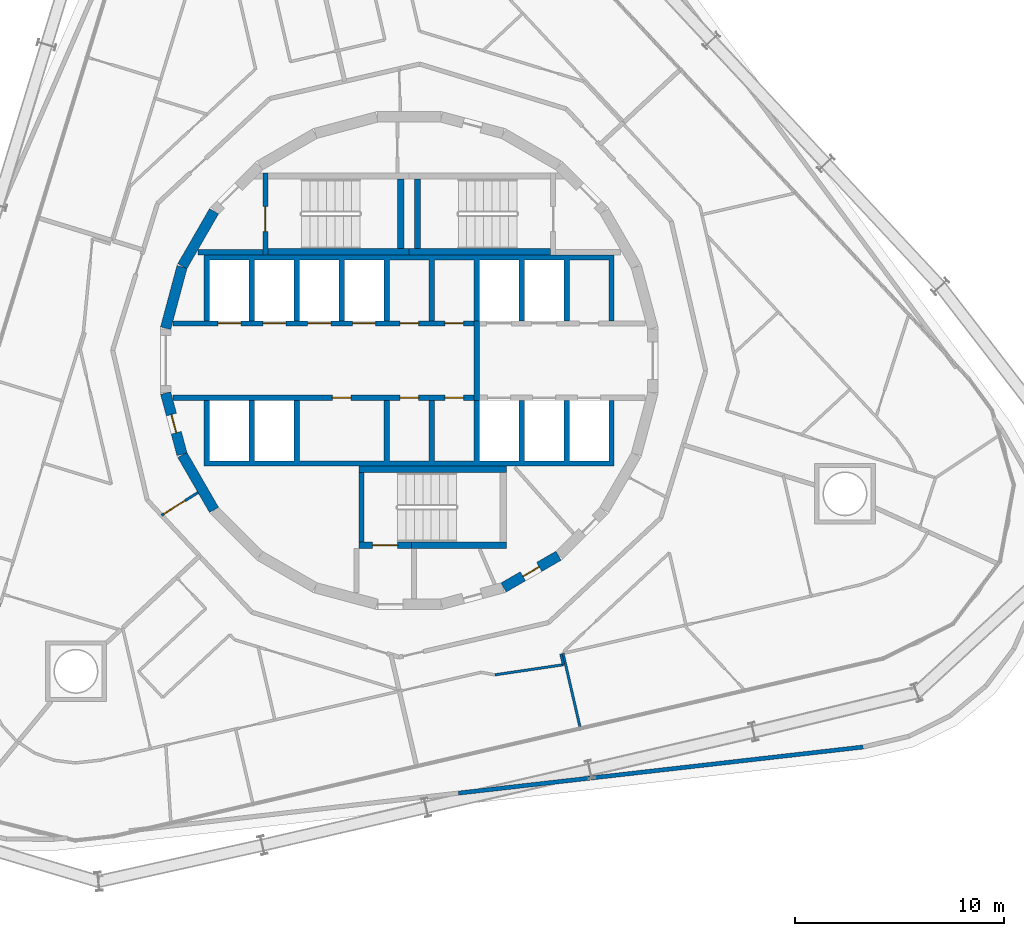
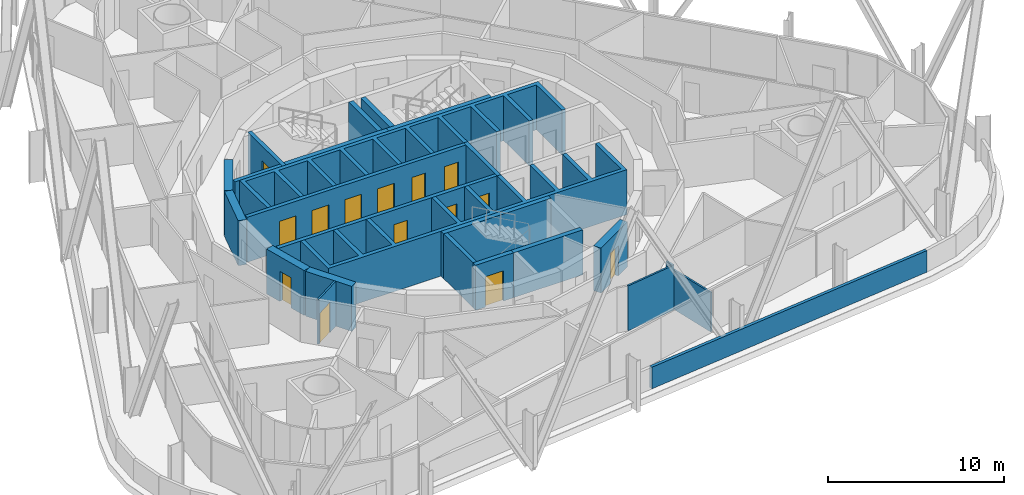
# One storey, part 13 of 18: 25 walls, 14 doors, 14 openings.
"""IFC4 building model written with IfcOpenShell, lengths in metres."""

from ifc_helpers import new_model, si_unit, direction, frame, frame_2d, origin, place, context, subcontext, project, spatial, polyline, rectangle, outline, extrude, material, layer, layer_set, type_object, element, fill, save


model = new_model("IFC4")

# Units and contexts
model_context = context("Model", 3, precision=1e-05, world=origin(), true_north=direction((0.0, 1.0)))
body_context = subcontext(model_context, "Body", "Model", "MODEL_VIEW")
ifc_project = project(units=[si_unit("LENGTHUNIT", "METRE"), si_unit("AREAUNIT", "SQUARE_METRE"), si_unit("VOLUMEUNIT", "CUBIC_METRE"), si_unit("PLANEANGLEUNIT", "RADIAN"), si_unit("MASSUNIT", "GRAM", prefix="KILO")], contexts=[model_context])

# Site, building, storey
site_placement = place(None, origin())
site = spatial("IfcSite", under=ifc_project, at=site_placement, CompositionType="ELEMENT")
building_placement = place(site_placement, origin())
building = spatial("IfcBuilding", under=site, at=building_placement, Name="Spindle Arch Residences", CompositionType="ELEMENT")
storey_placement = place(building_placement, frame((0.0, 0.0, 113.39990234375)))
storey = spatial("IfcBuildingStorey", under=building, at=storey_placement, Name="L27", CompositionType="ELEMENT", Elevation=113.39990234375)

# Wall, opening, door
ifc_material_1 = material(Name="Concrete C50/60", Category="concrete")
ifc_layer_1 = layer(ifc_material_1, 0.5)
ifc_layer_set_1 = layer_set([ifc_layer_1], Name="Core outline wall 500")
wall_type_1 = type_object("IfcWallType", Name="Core outline wall 500", PredefinedType="SHEAR", material=ifc_layer_set_1)
wall_1_placement = place(storey_placement, frame((4.510498046875, -10.84521484375, 0.0), z_axis=(0.0, 0.0, 1.0), x_axis=(0.865975092491, 0.500087131594, 0.0)))
wall_1 = element("IfcWall", 1, at=wall_1_placement, inside=storey, type_object=wall_type_1, Name="Core outline wall 2", PredefinedType="SHEAR", context=body_context, shape_type="SweptSolid", body=[
    extrude(rectangle(XDim=3.03271484375, YDim=0.5, at=frame_2d((1.516357421875, 0.0))), origin(), (0.0, 0.0, 1.0), 3.1201171875),
])
opening_1_placement = place(wall_1_placement, frame((1.06640625, 0.0, 0.0)))
opening_1 = element("IfcOpeningElement", 2, at=opening_1_placement, cuts=wall_1, Name="Opening R3A0-WD10", PredefinedType="OPENING", context=body_context, shape_type="SweptSolid", body=[
    extrude(rectangle(XDim=0.89990234375, YDim=2.10009765625, at=frame_2d((0.449951171875, 1.050048828125))), frame((0.0, 0.260009765625, 0.0), z_axis=(0.0, -1.0, 0.0), x_axis=(1.0, 0.0, 0.0)), (0.0, 0.0, 1.0), 0.52001953125),
])
ifc_material_2 = material(Name="Steel, fire-resisting door", Category="steel")
door_type_1 = type_object("IfcDoorType", Name="Service room door 900x2100", OperationType="SINGLE_SWING_LEFT", PredefinedType="DOOR", material=ifc_material_2)
door_1_placement = place(opening_1_placement, origin())
door_1 = element("IfcDoor", 3, at=door_1_placement, inside=storey, type_object=door_type_1, Name="Service room door R3A0-WD10", OperationType="SINGLE_SWING_LEFT", OverallHeight=2.10009765625, OverallWidth=0.89990234375, PredefinedType="DOOR", context=body_context, shape_type="SweptSolid", body=[
    extrude(rectangle(XDim=0.89990234375, YDim=2.10009765625, at=frame_2d((0.449951171875, 1.050048828125))), frame((0.0, 0.02490234375, 0.0), z_axis=(0.0, -1.0, 0.0), x_axis=(1.0, 0.0, 0.0)), (0.0, 0.0, 1.0), 0.050048828125),
])
fill(opening_1, door_1)

# Walls
for number, where, z_axis, x_axis, name in (
    (4, (-9.32861328125, 7.13671875, 0.0), (0.0, 0.0, 1.0), (-0.500087131594, -0.865975092491, 0.0), "Core outline wall 16"),
    (5, (-10.858154296875, 4.479248046875, 0.0), (0.0, 0.0, 1.0), (-0.258734743916, -0.965948410781, 0.0), "Core outline wall 17"),
):
    element("IfcWall", number, at=place(storey_placement, frame(where, z_axis=z_axis, x_axis=x_axis)), inside=storey, type_object=wall_type_1, Name=name, PredefinedType="SHEAR", context=body_context, shape_type="SweptSolid", body=[
        extrude(rectangle(XDim=3.03271484375, YDim=0.5, at=frame_2d((1.516357421875, 0.0))), origin(), (0.0, 0.0, 1.0), 3.1201171875),
    ])

# Wall, opening, door
wall_2_placement = place(storey_placement, frame((-11.642822265625, -1.5498046875, 0.0), z_axis=(0.0, 0.0, 1.0), x_axis=(0.258734743916, -0.965948410781, 0.0)))
wall_2 = element("IfcWall", 6, at=wall_2_placement, inside=storey, type_object=wall_type_1, Name="Core outline wall 19", PredefinedType="SHEAR", context=body_context, shape_type="SweptSolid", body=[
    extrude(rectangle(XDim=3.03271484375, YDim=0.5, at=frame_2d((1.516357421875, 0.0))), origin(), (0.0, 0.0, 1.0), 3.1201171875),
])
opening_2_placement = place(wall_2_placement, frame((1.06640625, 0.0, 0.0)))
opening_2 = element("IfcOpeningElement", 7, at=opening_2_placement, cuts=wall_2, Name="Opening R3A0-WD11", PredefinedType="OPENING", context=body_context, shape_type="SweptSolid", body=[
    extrude(rectangle(XDim=0.89990234375, YDim=2.10009765625, at=frame_2d((0.449951171875, 1.050048828125))), frame((0.0, 0.260009765625, 0.0), z_axis=(0.0, -1.0, 0.0), x_axis=(1.0, 0.0, 0.0)), (0.0, 0.0, 1.0), 0.52001953125),
])
door_2_placement = place(opening_2_placement, origin())
door_2 = element("IfcDoor", 8, at=door_2_placement, inside=storey, type_object=door_type_1, Name="Service room door R3A0-WD11", OperationType="SINGLE_SWING_RIGHT", OverallHeight=2.10009765625, OverallWidth=0.89990234375, PredefinedType="DOOR", context=body_context, shape_type="SweptSolid", body=[
    extrude(rectangle(XDim=0.89990234375, YDim=2.10009765625, at=frame_2d((0.449951171875, 1.050048828125))), frame((0.0, 0.02490234375, 0.0), z_axis=(0.0, -1.0, 0.0), x_axis=(1.0, 0.0, 0.0)), (0.0, 0.0, 1.0), 0.050048828125),
])
fill(opening_2, door_2)

# Wall
wall_3_placement = place(storey_placement, frame((-10.84521484375, -4.510498046875, 0.0), z_axis=(0.0, 0.0, 1.0), x_axis=(0.500087131594, -0.865975092491, 0.0)))
element("IfcWall", 9, at=wall_3_placement, inside=storey, type_object=wall_type_1, Name="Core outline wall 20", PredefinedType="SHEAR", context=body_context, shape_type="SweptSolid", body=[
    extrude(rectangle(XDim=3.03271484375, YDim=0.5, at=frame_2d((1.516357421875, 0.0))), origin(), (0.0, 0.0, 1.0), 3.1201171875),
])

# Wall, opening, door
ifc_material_3 = material(Name="Plasterboard on steel studs", Category="steel")
ifc_layer_2 = layer(ifc_material_3, 0.1201171875)
ifc_layer_set_2 = layer_set([ifc_layer_2], Name="Corridor division wall 120")
wall_type_2 = type_object("IfcWallType", Name="Corridor division wall 120", PredefinedType="PARTITIONING", material=ifc_layer_set_2)
wall_4_placement = place(storey_placement, frame((-11.835693359375, -7.395751953125, 0.0), z_axis=(0.0, 0.0, 1.0), x_axis=(0.848071831599, 0.529881277692, 0.0)))
wall_4 = element("IfcWall", 10, at=wall_4_placement, inside=storey, type_object=wall_type_2, Name="Corridor division wall R3A0-W003", PredefinedType="PARTITIONING", context=body_context, shape_type="SweptSolid", body=[
    extrude(rectangle(XDim=2.0517578125, YDim=0.1201171875, at=frame_2d((1.02587890625, 0.0))), origin(), (0.0, 0.0, 1.0), 3.1201171875),
])
opening_3_placement = place(wall_4_placement, frame((0.125, 0.0, 0.0)))
opening_3 = element("IfcOpeningElement", 11, at=opening_3_placement, cuts=wall_4, Name="Opening R3A0-CD03", PredefinedType="OPENING", context=body_context, shape_type="SweptSolid", body=[
    extrude(rectangle(XDim=1.199951171875, YDim=2.10009765625, at=frame_2d((0.60009765625, 1.050048828125))), frame((0.0, 0.070068359375, 0.0), z_axis=(0.0, -1.0, 0.0), x_axis=(1.0, 0.0, 0.0)), (0.0, 0.0, 1.0), 0.14013671875),
])
ifc_material_4 = material(Name="Steel, fire-resisting door", Category="steel")
door_type_2 = type_object("IfcDoorType", Name="Corridor division door 1200x2100", OperationType="NOTDEFINED", PredefinedType="DOOR", material=ifc_material_4)
door_3_placement = place(opening_3_placement, origin())
door_3 = element("IfcDoor", 12, at=door_3_placement, inside=storey, type_object=door_type_2, Name="Corridor division door R3A0-CD03", OperationType="DOUBLE_DOOR_SINGLE_SWING", OverallHeight=2.10009765625, OverallWidth=1.199951171875, PredefinedType="DOOR", context=body_context, shape_type="SweptSolid", body=[
    extrude(rectangle(XDim=1.199951171875, YDim=2.10009765625, at=frame_2d((0.60009765625, 1.050048828125))), frame((0.0, 0.02490234375, 0.0), z_axis=(0.0, -1.0, 0.0), x_axis=(1.0, 0.0, 0.0)), (0.0, 0.0, 1.0), 0.050048828125),
])
fill(opening_3, door_3)

# Walls
ifc_material_5 = material(Name="Concrete C40/50", Category="concrete")
ifc_layer_3 = layer(ifc_material_5, 0.25)
ifc_layer_set_3 = layer_set([ifc_layer_3], Name="Fire-lift lobby wall 250")
wall_type_3 = type_object("IfcWallType", Name="Fire-lift lobby wall 250", PredefinedType="SHEAR", material=ifc_layer_set_3)
wall_5_placement = place(storey_placement, frame((3.22509765625, -1.89990234375, 0.0), z_axis=(0.0, 0.0, 1.0), x_axis=(0.0, 1.0, 0.0)))
element("IfcWall", 13, at=wall_5_placement, inside=storey, type_object=wall_type_3, Name="Fire-fighting lobby partition", PredefinedType="SHEAR", context=body_context, shape_type="SweptSolid", body=[
    extrude(rectangle(XDim=3.7998046875, YDim=0.25, at=frame_2d((1.89990234375, 0.0))), origin(), (0.0, 0.0, 1.0), 3.1201171875),
])
ifc_material_6 = material(Name="Plasterboard on steel studs", Category="steel")
ifc_layer_4 = layer(ifc_material_6, 0.1201171875)
ifc_layer_set_4 = layer_set([ifc_layer_4], Name="Flat partition 120")
wall_type_4 = type_object("IfcWallType", Name="Flat partition 120", PredefinedType="PARTITIONING", material=ifc_layer_set_4)
wall_6_placement = place(storey_placement, frame((4.093505859375, -15.0205078125, 0.0), z_axis=(0.0, 0.0, 1.0), x_axis=(0.989259616433, 0.146169118814, 0.0)))
element("IfcWall", 14, at=wall_6_placement, inside=storey, type_object=wall_type_4, Name="Flat partition R3A0-W104", PredefinedType="PARTITIONING", context=body_context, shape_type="SweptSolid", body=[
    extrude(rectangle(XDim=3.310546875, YDim=0.1201171875, at=frame_2d((1.6552734375, 0.0))), origin(), (0.0, 0.0, 1.0), 3.1201171875),
])
wall_7_placement = place(storey_placement, frame((7.368408203125, -14.53662109375, 0.0), z_axis=(0.0, 0.0, 1.0), x_axis=(-0.224960301109, 0.974367929955, 0.0)))
element("IfcWall", 15, at=wall_7_placement, inside=storey, type_object=wall_type_4, Name="Flat partition R3A0-W105", PredefinedType="PARTITIONING", context=body_context, shape_type="SweptSolid", body=[
    extrude(rectangle(XDim=0.53076171875, YDim=0.1201171875, at=frame_2d((0.265380859375, 0.0))), origin(), (0.0, 0.0, 1.0), 3.1201171875),
])
ifc_material_7 = material(Name="Plasterboard on steel studs", Category="steel")
ifc_layer_5 = layer(ifc_material_7, 0.1201171875)
ifc_layer_set_5 = layer_set([ifc_layer_5], Name="Flat partition 120 under beam 2730")
wall_type_5 = type_object("IfcWallType", Name="Flat partition 120 under beam 2730", PredefinedType="PARTITIONING", material=ifc_layer_set_5)
wall_8_placement = place(storey_placement, frame((8.1611328125, -17.503662109375, 0.0), z_axis=(0.0, 0.0, 1.0), x_axis=(-0.224943703639, 0.9743717618, 0.0)))
element("IfcWall", 16, at=wall_8_placement, inside=storey, type_object=wall_type_5, Name="Flat partition R3A0-W110", PredefinedType="PARTITIONING", context=body_context, shape_type="SweptSolid", body=[
    extrude(rectangle(XDim=3.60009765625, YDim=0.1201171875, at=frame_2d((1.800048828125, 0.0))), origin(), (0.0, 0.0, 1.0), 2.72998046875),
])

# Wall, openings, doors
ifc_material_8 = material(Name="Concrete C50/60", Category="concrete")
ifc_layer_6 = layer(ifc_material_8, 0.25)
ifc_layer_set_6 = layer_set([ifc_layer_6], Name="Lift shaft wall 250")
wall_type_6 = type_object("IfcWallType", Name="Lift shaft wall 250", PredefinedType="SHEAR", material=ifc_layer_set_6)
wall_9_placement = place(storey_placement, frame((-11.280029296875, 1.77490234375, 0.0), z_axis=(0.0, 0.0, 1.0), x_axis=(1.0, 0.0, 0.0)))
wall_9 = element("IfcWall", 17, at=wall_9_placement, inside=storey, type_object=wall_type_6, Name="Lift shaft front wall NW", PredefinedType="SHEAR", context=body_context, shape_type="SweptSolid", body=[
    extrude(rectangle(XDim=14.380126953125, YDim=0.25, at=frame_2d((7.18994140625, 0.0))), origin(), (0.0, 0.0, 1.0), 3.1201171875),
])
opening_4_placement = place(wall_9_placement, frame((2.1298828125, 0.0, 0.0)))
opening_4 = element("IfcOpeningElement", 18, at=opening_4_placement, cuts=wall_9, Name="Opening R3A0-LD01", PredefinedType="OPENING", context=body_context, shape_type="SweptSolid", body=[
    extrude(rectangle(XDim=1.10009765625, YDim=2.10009765625, at=frame_2d((0.550048828125, 1.050048828125))), frame((0.0, 0.135009765625, 0.0), z_axis=(0.0, -1.0, 0.0), x_axis=(1.0, 0.0, 0.0)), (0.0, 0.0, 1.0), 0.27001953125),
])
opening_5_placement = place(wall_9_placement, frame((4.280029296875, 0.0, 0.0)))
opening_5 = element("IfcOpeningElement", 19, at=opening_5_placement, cuts=wall_9, Name="Opening R3A0-LD02", PredefinedType="OPENING", context=body_context, shape_type="SweptSolid", body=[
    extrude(rectangle(XDim=1.10009765625, YDim=2.10009765625, at=frame_2d((0.550048828125, 1.050048828125))), frame((0.0, 0.135009765625, 0.0), z_axis=(0.0, -1.0, 0.0), x_axis=(1.0, 0.0, 0.0)), (0.0, 0.0, 1.0), 0.27001953125),
])
opening_6_placement = place(wall_9_placement, frame((6.429931640625, 0.0, 0.0)))
opening_6 = element("IfcOpeningElement", 20, at=opening_6_placement, cuts=wall_9, Name="Opening R3A0-LD03", PredefinedType="OPENING", context=body_context, shape_type="SweptSolid", body=[
    extrude(rectangle(XDim=1.10009765625, YDim=2.10009765625, at=frame_2d((0.550048828125, 1.050048828125))), frame((0.0, 0.135009765625, 0.0), z_axis=(0.0, -1.0, 0.0), x_axis=(1.0, 0.0, 0.0)), (0.0, 0.0, 1.0), 0.27001953125),
])
opening_7_placement = place(wall_9_placement, frame((8.580078125, 0.0, 0.0)))
opening_7 = element("IfcOpeningElement", 21, at=opening_7_placement, cuts=wall_9, Name="Opening R3A0-LD04", PredefinedType="OPENING", context=body_context, shape_type="SweptSolid", body=[
    extrude(rectangle(XDim=1.10009765625, YDim=2.10009765625, at=frame_2d((0.550048828125, 1.050048828125))), frame((0.0, 0.135009765625, 0.0), z_axis=(0.0, -1.0, 0.0), x_axis=(1.0, 0.0, 0.0)), (0.0, 0.0, 1.0), 0.27001953125),
])
opening_8_placement = place(wall_9_placement, frame((10.830078125, 0.0, 0.0)))
opening_8 = element("IfcOpeningElement", 22, at=opening_8_placement, cuts=wall_9, Name="Opening R3A0-WD01", PredefinedType="OPENING", context=body_context, shape_type="SweptSolid", body=[
    extrude(rectangle(XDim=0.89990234375, YDim=2.10009765625, at=frame_2d((0.449951171875, 1.050048828125))), frame((0.0, 0.135009765625, 0.0), z_axis=(0.0, -1.0, 0.0), x_axis=(1.0, 0.0, 0.0)), (0.0, 0.0, 1.0), 0.27001953125),
])
opening_9_placement = place(wall_9_placement, frame((12.97998046875, 0.0, 0.0)))
opening_9 = element("IfcOpeningElement", 23, at=opening_9_placement, cuts=wall_9, Name="Opening R3A0-WD02", PredefinedType="OPENING", context=body_context, shape_type="SweptSolid", body=[
    extrude(rectangle(XDim=0.89990234375, YDim=2.10009765625, at=frame_2d((0.449951171875, 1.050048828125))), frame((0.0, 0.135009765625, 0.0), z_axis=(0.0, -1.0, 0.0), x_axis=(1.0, 0.0, 0.0)), (0.0, 0.0, 1.0), 0.27001953125),
])
ifc_material_9 = material(Name="Steel, fire-resisting landing door", Category="steel")
door_type_3 = type_object("IfcDoorType", Name="Lift landing door 1100x2100", OperationType="DOUBLE_DOOR_SLIDING", PredefinedType="DOOR", material=ifc_material_9)
door_4_placement = place(opening_4_placement, origin())
door_4 = element("IfcDoor", 24, at=door_4_placement, inside=storey, type_object=door_type_3, Name="Lift landing door R3A0-LD01", OperationType="DOUBLE_DOOR_SLIDING", OverallHeight=2.10009765625, OverallWidth=1.10009765625, PredefinedType="DOOR", context=body_context, shape_type="SweptSolid", body=[
    extrude(rectangle(XDim=1.10009765625, YDim=2.10009765625, at=frame_2d((0.550048828125, 1.050048828125))), frame((0.0, 0.02490234375, 0.0), z_axis=(0.0, -1.0, 0.0), x_axis=(1.0, 0.0, 0.0)), (0.0, 0.0, 1.0), 0.050048828125),
])
fill(opening_4, door_4)
door_5_placement = place(opening_5_placement, origin())
door_5 = element("IfcDoor", 25, at=door_5_placement, inside=storey, type_object=door_type_3, Name="Lift landing door R3A0-LD02", OperationType="DOUBLE_DOOR_SLIDING", OverallHeight=2.10009765625, OverallWidth=1.10009765625, PredefinedType="DOOR", context=body_context, shape_type="SweptSolid", body=[
    extrude(rectangle(XDim=1.10009765625, YDim=2.10009765625, at=frame_2d((0.550048828125, 1.050048828125))), frame((0.0, 0.02490234375, 0.0), z_axis=(0.0, -1.0, 0.0), x_axis=(1.0, 0.0, 0.0)), (0.0, 0.0, 1.0), 0.050048828125),
])
fill(opening_5, door_5)
door_6_placement = place(opening_6_placement, origin())
door_6 = element("IfcDoor", 26, at=door_6_placement, inside=storey, type_object=door_type_3, Name="Lift landing door R3A0-LD03", OperationType="DOUBLE_DOOR_SLIDING", OverallHeight=2.10009765625, OverallWidth=1.10009765625, PredefinedType="DOOR", context=body_context, shape_type="SweptSolid", body=[
    extrude(rectangle(XDim=1.10009765625, YDim=2.10009765625, at=frame_2d((0.550048828125, 1.050048828125))), frame((0.0, 0.02490234375, 0.0), z_axis=(0.0, -1.0, 0.0), x_axis=(1.0, 0.0, 0.0)), (0.0, 0.0, 1.0), 0.050048828125),
])
fill(opening_6, door_6)
door_7_placement = place(opening_7_placement, origin())
door_7 = element("IfcDoor", 27, at=door_7_placement, inside=storey, type_object=door_type_3, Name="Lift landing door R3A0-LD04", OperationType="DOUBLE_DOOR_SLIDING", OverallHeight=2.10009765625, OverallWidth=1.10009765625, PredefinedType="DOOR", context=body_context, shape_type="SweptSolid", body=[
    extrude(rectangle(XDim=1.10009765625, YDim=2.10009765625, at=frame_2d((0.550048828125, 1.050048828125))), frame((0.0, 0.02490234375, 0.0), z_axis=(0.0, -1.0, 0.0), x_axis=(1.0, 0.0, 0.0)), (0.0, 0.0, 1.0), 0.050048828125),
])
fill(opening_7, door_7)
door_8_placement = place(opening_8_placement, origin())
door_8 = element("IfcDoor", 28, at=door_8_placement, inside=storey, type_object=door_type_1, Name="Service room door R3A0-WD01", OperationType="SINGLE_SWING_RIGHT", OverallHeight=2.10009765625, OverallWidth=0.89990234375, PredefinedType="DOOR", context=body_context, shape_type="SweptSolid", body=[
    extrude(rectangle(XDim=0.89990234375, YDim=2.10009765625, at=frame_2d((0.449951171875, 1.050048828125))), frame((0.0, 0.02490234375, 0.0), z_axis=(0.0, -1.0, 0.0), x_axis=(1.0, 0.0, 0.0)), (0.0, 0.0, 1.0), 0.050048828125),
])
fill(opening_8, door_8)
door_9_placement = place(opening_9_placement, origin())
door_9 = element("IfcDoor", 29, at=door_9_placement, inside=storey, type_object=door_type_1, Name="Service room door R3A0-WD02", OperationType="SINGLE_SWING_LEFT", OverallHeight=2.10009765625, OverallWidth=0.89990234375, PredefinedType="DOOR", context=body_context, shape_type="SweptSolid", body=[
    extrude(rectangle(XDim=0.89990234375, YDim=2.10009765625, at=frame_2d((0.449951171875, 1.050048828125))), frame((0.0, 0.02490234375, 0.0), z_axis=(0.0, -1.0, 0.0), x_axis=(1.0, 0.0, 0.0)), (0.0, 0.0, 1.0), 0.050048828125),
])
fill(opening_9, door_9)

wall_10_placement = place(storey_placement, frame((-11.280029296875, -1.77490234375, 0.0), z_axis=(0.0, 0.0, 1.0), x_axis=(1.0, 0.0, 0.0)))
wall_10 = element("IfcWall", 30, at=wall_10_placement, inside=storey, type_object=wall_type_6, Name="Lift shaft front wall SW", PredefinedType="SHEAR", context=body_context, shape_type="SweptSolid", body=[
    extrude(rectangle(XDim=14.380126953125, YDim=0.25, at=frame_2d((7.18994140625, 0.0))), origin(), (0.0, 0.0, 1.0), 3.1201171875),
])
opening_10_placement = place(wall_10_placement, frame((7.60498046875, 0.0, 0.0)))
opening_10 = element("IfcOpeningElement", 31, at=opening_10_placement, cuts=wall_10, Name="Opening R3A0-WD04", PredefinedType="OPENING", context=body_context, shape_type="SweptSolid", body=[
    extrude(rectangle(XDim=0.89990234375, YDim=2.10009765625, at=frame_2d((0.449951171875, 1.050048828125))), frame((0.0, 0.135009765625, 0.0), z_axis=(0.0, -1.0, 0.0), x_axis=(1.0, 0.0, 0.0)), (0.0, 0.0, 1.0), 0.27001953125),
])
opening_11_placement = place(wall_10_placement, frame((10.830078125, 0.0, 0.0)))
opening_11 = element("IfcOpeningElement", 32, at=opening_11_placement, cuts=wall_10, Name="Opening R3A0-WD05", PredefinedType="OPENING", context=body_context, shape_type="SweptSolid", body=[
    extrude(rectangle(XDim=0.89990234375, YDim=2.10009765625, at=frame_2d((0.449951171875, 1.050048828125))), frame((0.0, 0.135009765625, 0.0), z_axis=(0.0, -1.0, 0.0), x_axis=(1.0, 0.0, 0.0)), (0.0, 0.0, 1.0), 0.27001953125),
])
opening_12_placement = place(wall_10_placement, frame((12.97998046875, 0.0, 0.0)))
opening_12 = element("IfcOpeningElement", 33, at=opening_12_placement, cuts=wall_10, Name="Opening R3A0-WD06", PredefinedType="OPENING", context=body_context, shape_type="SweptSolid", body=[
    extrude(rectangle(XDim=0.89990234375, YDim=2.10009765625, at=frame_2d((0.449951171875, 1.050048828125))), frame((0.0, 0.135009765625, 0.0), z_axis=(0.0, -1.0, 0.0), x_axis=(1.0, 0.0, 0.0)), (0.0, 0.0, 1.0), 0.27001953125),
])
door_10_placement = place(opening_10_placement, origin())
door_10 = element("IfcDoor", 34, at=door_10_placement, inside=storey, type_object=door_type_1, Name="Service room door R3A0-WD04", OperationType="SINGLE_SWING_LEFT", OverallHeight=2.10009765625, OverallWidth=0.89990234375, PredefinedType="DOOR", context=body_context, shape_type="SweptSolid", body=[
    extrude(rectangle(XDim=0.89990234375, YDim=2.10009765625, at=frame_2d((0.449951171875, 1.050048828125))), frame((0.0, 0.02490234375, 0.0), z_axis=(0.0, -1.0, 0.0), x_axis=(1.0, 0.0, 0.0)), (0.0, 0.0, 1.0), 0.050048828125),
])
fill(opening_10, door_10)
door_11_placement = place(opening_11_placement, origin())
door_11 = element("IfcDoor", 35, at=door_11_placement, inside=storey, type_object=door_type_1, Name="Service room door R3A0-WD05", OperationType="SINGLE_SWING_RIGHT", OverallHeight=2.10009765625, OverallWidth=0.89990234375, PredefinedType="DOOR", context=body_context, shape_type="SweptSolid", body=[
    extrude(rectangle(XDim=0.89990234375, YDim=2.10009765625, at=frame_2d((0.449951171875, 1.050048828125))), frame((0.0, 0.02490234375, 0.0), z_axis=(0.0, -1.0, 0.0), x_axis=(1.0, 0.0, 0.0)), (0.0, 0.0, 1.0), 0.050048828125),
])
fill(opening_11, door_11)
door_12_placement = place(opening_12_placement, origin())
door_12 = element("IfcDoor", 36, at=door_12_placement, inside=storey, type_object=door_type_1, Name="Service room door R3A0-WD06", OperationType="SINGLE_SWING_LEFT", OverallHeight=2.10009765625, OverallWidth=0.89990234375, PredefinedType="DOOR", context=body_context, shape_type="SweptSolid", body=[
    extrude(rectangle(XDim=0.89990234375, YDim=2.10009765625, at=frame_2d((0.449951171875, 1.050048828125))), frame((0.0, 0.02490234375, 0.0), z_axis=(0.0, -1.0, 0.0), x_axis=(1.0, 0.0, 0.0)), (0.0, 0.0, 1.0), 0.050048828125),
])
fill(opening_12, door_12)

# Walls
ifc_material_10 = material(Name="Concrete C50/60", Category="concrete")
wall_type_7 = type_object("IfcWallType", Name="Lift shaft wall profile", PredefinedType="SHEAR", material=ifc_material_10)
wall_11_placement = place(storey_placement, origin())
element("IfcWall", 37, at=wall_11_placement, inside=storey, type_object=wall_type_7, Name="Lift shaft walls N", PredefinedType="SHEAR", context=body_context, shape_type="SweptSolid", body=[
    extrude(outline(polyline([(-9.550048828125, 4.800048828125), (-7.64990234375, 4.800048828125), (-7.64990234375, 1.89990234375), (-7.39990234375, 1.89990234375), (-7.39990234375, 4.800048828125), (-5.5, 4.800048828125), (-5.5, 1.89990234375), (-5.25, 1.89990234375), (-5.25, 4.800048828125), (-3.35009765625, 4.800048828125), (-3.35009765625, 1.89990234375), (-3.10009765625, 1.89990234375), (-3.10009765625, 4.800048828125), (-1.199951171875, 4.800048828125), (-1.199951171875, 1.89990234375), (-0.949951171875, 1.89990234375), (-0.949951171875, 4.800048828125), (0.949951171875, 4.800048828125), (0.949951171875, 1.89990234375), (1.199951171875, 1.89990234375), (1.199951171875, 4.800048828125), (3.10009765625, 4.800048828125), (3.10009765625, 1.89990234375), (3.35009765625, 1.89990234375), (3.35009765625, 4.800048828125), (5.25, 4.800048828125), (5.25, 1.89990234375), (5.5, 1.89990234375), (5.5, 4.800048828125), (7.39990234375, 4.800048828125), (7.39990234375, 1.89990234375), (7.64990234375, 1.89990234375), (7.64990234375, 4.800048828125), (9.550048828125, 4.800048828125), (9.550048828125, 1.89990234375), (9.800048828125, 1.89990234375), (9.800048828125, 4.800048828125), (9.800048828125, 5.050048828125), (-9.800048828125, 5.050048828125), (-9.800048828125, 4.800048828125), (-9.800048828125, 1.89990234375), (-9.550048828125, 1.89990234375), (-9.550048828125, 4.800048828125)])), origin(), (0.0, 0.0, 1.0), 3.1201171875),
])
wall_12_placement = place(storey_placement, origin())
element("IfcWall", 38, at=wall_12_placement, inside=storey, type_object=wall_type_7, Name="Lift shaft walls S", PredefinedType="SHEAR", context=body_context, shape_type="SweptSolid", body=[
    extrude(outline(polyline([(9.800048828125, -5.050048828125), (9.800048828125, -4.800048828125), (9.800048828125, -1.89990234375), (9.550048828125, -1.89990234375), (9.550048828125, -4.800048828125), (7.64990234375, -4.800048828125), (7.64990234375, -1.89990234375), (7.39990234375, -1.89990234375), (7.39990234375, -4.800048828125), (5.5, -4.800048828125), (5.5, -1.89990234375), (5.25, -1.89990234375), (5.25, -4.800048828125), (3.35009765625, -4.800048828125), (3.35009765625, -1.89990234375), (3.10009765625, -1.89990234375), (3.10009765625, -4.800048828125), (1.199951171875, -4.800048828125), (1.199951171875, -1.89990234375), (0.949951171875, -1.89990234375), (0.949951171875, -4.800048828125), (-0.949951171875, -4.800048828125), (-0.949951171875, -1.89990234375), (-1.199951171875, -1.89990234375), (-1.199951171875, -4.800048828125), (-5.25, -4.800048828125), (-5.25, -1.89990234375), (-5.5, -1.89990234375), (-5.5, -4.800048828125), (-7.39990234375, -4.800048828125), (-7.39990234375, -1.89990234375), (-7.64990234375, -1.89990234375), (-7.64990234375, -4.800048828125), (-9.550048828125, -4.800048828125), (-9.550048828125, -1.89990234375), (-9.800048828125, -1.89990234375), (-9.800048828125, -4.800048828125), (-9.800048828125, -5.050048828125), (9.800048828125, -5.050048828125)])), origin(), (0.0, 0.0, 1.0), 3.1201171875),
])
ifc_material_11 = material(Name="Concrete C40/50", Category="concrete")
ifc_layer_7 = layer(ifc_material_11, 0.199951171875)
ifc_layer_set_7 = layer_set([ifc_layer_7], Name="Roof parapet 1500")
wall_type_8 = type_object("IfcWallType", Name="Roof parapet 1500", PredefinedType="PARAPET", material=ifc_layer_set_7)
wall_13_placement = place(storey_placement, frame((21.69970703125, -18.4697265625, 0.030029296875), z_axis=(0.0, 0.0, 1.0), x_axis=(-0.993571254811, -0.113208487372, 0.0)))
element("IfcWall", 39, at=wall_13_placement, inside=storey, type_object=wall_type_8, Name="Roof parapet L26 4.11", PredefinedType="PARAPET", context=body_context, shape_type="SweptSolid", body=[
    extrude(rectangle(XDim=19.469482421875, YDim=0.199951171875, at=frame_2d((9.73486328125, 0.0))), origin(), (0.0, 0.0, 1.0), 1.5),
])
ifc_material_12 = material(Name="Concrete C40/50", Category="concrete")
ifc_layer_8 = layer(ifc_material_12, 0.25)
ifc_layer_set_8 = layer_set([ifc_layer_8], Name="Stair airlock wall 250")
wall_type_9 = type_object("IfcWallType", Name="Stair airlock wall 250", PredefinedType="SHEAR", material=ifc_layer_set_8)
wall_14_placement = place(storey_placement, frame((-7.0, 5.175048828125, 0.0), z_axis=(0.0, 0.0, 1.0), x_axis=(-1.0, 0.0, 0.0)))
element("IfcWall", 40, at=wall_14_placement, inside=storey, type_object=wall_type_9, Name="Stair ST-2 airlock wall S", PredefinedType="SHEAR", context=body_context, shape_type="SweptSolid", body=[
    extrude(rectangle(XDim=3.10009765625, YDim=0.25, at=frame_2d((1.550048828125, 0.0))), origin(), (0.0, 0.0, 1.0), 3.1201171875),
])

# Wall, opening, door
ifc_material_13 = material(Name="Concrete C50/60", Category="concrete")
ifc_layer_9 = layer(ifc_material_13, 0.25)
ifc_layer_set_9 = layer_set([ifc_layer_9], Name="Stair enclosure wall 250")
wall_type_10 = type_object("IfcWallType", Name="Stair enclosure wall 250", PredefinedType="SHEAR", material=ifc_layer_set_9)
wall_15_placement = place(storey_placement, frame((-6.875, 8.969970703125, 0.0), z_axis=(0.0, 0.0, 1.0), x_axis=(0.0, -1.0, 0.0)))
wall_15 = element("IfcWall", 41, at=wall_15_placement, inside=storey, type_object=wall_type_10, Name="Stair ST-2 door wall", PredefinedType="SHEAR", context=body_context, shape_type="SweptSolid", body=[
    extrude(rectangle(XDim=3.919921875, YDim=0.25, at=frame_2d((1.9599609375, 0.0))), origin(), (0.0, 0.0, 1.0), 3.1201171875),
])
opening_13_placement = place(wall_15_placement, frame((1.610107421875, 0.0, 0.0)))
opening_13 = element("IfcOpeningElement", 42, at=opening_13_placement, cuts=wall_15, Name="Opening R3A0-SD02", PredefinedType="OPENING", context=body_context, shape_type="SweptSolid", body=[
    extrude(rectangle(XDim=1.199951171875, YDim=2.10009765625, at=frame_2d((0.60009765625, 1.050048828125))), frame((0.0, 0.135009765625, 0.0), z_axis=(0.0, -1.0, 0.0), x_axis=(1.0, 0.0, 0.0)), (0.0, 0.0, 1.0), 0.27001953125),
])
ifc_material_14 = material(Name="Steel, fire-resisting door", Category="steel")
door_type_4 = type_object("IfcDoorType", Name="Stair door 1200x2100", OperationType="SINGLE_SWING_RIGHT", PredefinedType="DOOR", material=ifc_material_14)
door_13_placement = place(opening_13_placement, origin())
door_13 = element("IfcDoor", 43, at=door_13_placement, inside=storey, type_object=door_type_4, Name="Stair door R3A0-SD02", OperationType="SINGLE_SWING_LEFT", OverallHeight=2.10009765625, OverallWidth=1.199951171875, PredefinedType="DOOR", context=body_context, shape_type="SweptSolid", body=[
    extrude(rectangle(XDim=1.199951171875, YDim=2.10009765625, at=frame_2d((0.60009765625, 1.050048828125))), frame((0.0, 0.02490234375, 0.0), z_axis=(0.0, -1.0, 0.0), x_axis=(1.0, 0.0, 0.0)), (0.0, 0.0, 1.0), 0.050048828125),
])
fill(opening_13, door_13)

# Walls
wall_16_placement = place(storey_placement, frame((-2.27490234375, -8.669921875, 0.0), z_axis=(0.0, 0.0, 1.0), x_axis=(0.0, 1.0, 0.0)))
element("IfcWall", 44, at=wall_16_placement, inside=storey, type_object=wall_type_10, Name="Stair ST-3 enclosure wall W", PredefinedType="SHEAR", context=body_context, shape_type="SweptSolid", body=[
    extrude(rectangle(XDim=3.31982421875, YDim=0.25, at=frame_2d((1.659912109375, 0.0))), origin(), (0.0, 0.0, 1.0), 3.1201171875),
])
ifc_material_15 = material(Name="Concrete C50/60", Category="concrete")
ifc_layer_10 = layer(ifc_material_15, 0.300048828125)
ifc_layer_set_10 = layer_set([ifc_layer_10], Name="Stair enclosure wall 300")
wall_type_11 = type_object("IfcWallType", Name="Stair enclosure wall 300", PredefinedType="SHEAR", material=ifc_layer_set_10)
wall_17_placement = place(storey_placement, frame((0.0, 5.199951171875, 0.0), z_axis=(0.0, 0.0, 1.0), x_axis=(1.0, 0.0, 0.0)))
element("IfcWall", 45, at=wall_17_placement, inside=storey, type_object=wall_type_11, Name="Stair ST-1 enclosure wall S", PredefinedType="SHEAR", context=body_context, shape_type="SweptSolid", body=[
    extrude(rectangle(XDim=6.75, YDim=0.300048828125, at=frame_2d((3.375, 0.0))), origin(), (0.0, 0.0, 1.0), 3.1201171875),
])
wall_18_placement = place(storey_placement, frame((0.39990234375, 5.35009765625, 0.0), z_axis=(0.0, 0.0, 1.0), x_axis=(0.0, 1.0, 0.0)))
element("IfcWall", 46, at=wall_18_placement, inside=storey, type_object=wall_type_11, Name="Stair ST-1 enclosure wall F", PredefinedType="SHEAR", context=body_context, shape_type="SweptSolid", body=[
    extrude(rectangle(XDim=3.31982421875, YDim=0.300048828125, at=frame_2d((1.659912109375, 0.0))), origin(), (0.0, 0.0, 1.0), 3.1201171875),
])
wall_19_placement = place(storey_placement, frame((-6.75, 5.199951171875, 0.0), z_axis=(0.0, 0.0, 1.0), x_axis=(1.0, 0.0, 0.0)))
element("IfcWall", 47, at=wall_19_placement, inside=storey, type_object=wall_type_11, Name="Stair ST-2 enclosure wall S", PredefinedType="SHEAR", context=body_context, shape_type="SweptSolid", body=[
    extrude(rectangle(XDim=6.75, YDim=0.300048828125, at=frame_2d((3.375, 0.0))), origin(), (0.0, 0.0, 1.0), 3.1201171875),
])
wall_20_placement = place(storey_placement, frame((-0.39990234375, 5.35009765625, 0.0), z_axis=(0.0, 0.0, 1.0), x_axis=(0.0, 1.0, 0.0)))
element("IfcWall", 48, at=wall_20_placement, inside=storey, type_object=wall_type_11, Name="Stair ST-2 enclosure wall F", PredefinedType="SHEAR", context=body_context, shape_type="SweptSolid", body=[
    extrude(rectangle(XDim=3.31982421875, YDim=0.300048828125, at=frame_2d((1.659912109375, 0.0))), origin(), (0.0, 0.0, 1.0), 3.1201171875),
])
wall_21_placement = place(storey_placement, frame((-2.39990234375, -5.199951171875, 0.0), z_axis=(0.0, 0.0, 1.0), x_axis=(1.0, 0.0, 0.0)))
element("IfcWall", 49, at=wall_21_placement, inside=storey, type_object=wall_type_11, Name="Stair ST-3 enclosure wall N", PredefinedType="SHEAR", context=body_context, shape_type="SweptSolid", body=[
    extrude(rectangle(XDim=7.0498046875, YDim=0.300048828125, at=frame_2d((3.52490234375, 0.0))), origin(), (0.0, 0.0, 1.0), 3.1201171875),
])
wall_22_placement = place(storey_placement, frame((0.10009765625, -8.820068359375, 0.0), z_axis=(0.0, 0.0, 1.0), x_axis=(1.0, 0.0, 0.0)))
element("IfcWall", 50, at=wall_22_placement, inside=storey, type_object=wall_type_11, Name="Stair ST-3 enclosure wall S", PredefinedType="SHEAR", context=body_context, shape_type="SweptSolid", body=[
    extrude(rectangle(XDim=4.5498046875, YDim=0.300048828125, at=frame_2d((2.27490234375, 0.0))), origin(), (0.0, 0.0, 1.0), 3.1201171875),
])

# Wall, opening, door
wall_23_placement = place(storey_placement, frame((-2.39990234375, -8.820068359375, 0.0), z_axis=(0.0, 0.0, 1.0), x_axis=(1.0, 0.0, 0.0)))
wall_23 = element("IfcWall", 51, at=wall_23_placement, inside=storey, type_object=wall_type_11, Name="Stair ST-3 door wall", PredefinedType="SHEAR", context=body_context, shape_type="SweptSolid", body=[
    extrude(rectangle(XDim=2.5, YDim=0.300048828125, at=frame_2d((1.25, 0.0))), origin(), (0.0, 0.0, 1.0), 3.1201171875),
])
opening_14_placement = place(wall_23_placement, frame((0.64990234375, 0.0, 0.0)))
opening_14 = element("IfcOpeningElement", 52, at=opening_14_placement, cuts=wall_23, Name="Opening R3A0-SD03", PredefinedType="OPENING", context=body_context, shape_type="SweptSolid", body=[
    extrude(rectangle(XDim=1.199951171875, YDim=2.10009765625, at=frame_2d((0.60009765625, 1.050048828125))), frame((0.0, 0.16015625, 0.0), z_axis=(0.0, -1.0, 0.0), x_axis=(1.0, 0.0, 0.0)), (0.0, 0.0, 1.0), 0.320068359375),
])
door_14_placement = place(opening_14_placement, origin())
door_14 = element("IfcDoor", 53, at=door_14_placement, inside=storey, type_object=door_type_4, Name="Stair door R3A0-SD03", OperationType="SINGLE_SWING_LEFT", OverallHeight=2.10009765625, OverallWidth=1.199951171875, PredefinedType="DOOR", context=body_context, shape_type="SweptSolid", body=[
    extrude(rectangle(XDim=1.199951171875, YDim=2.10009765625, at=frame_2d((0.60009765625, 1.050048828125))), frame((0.0, 0.02490234375, 0.0), z_axis=(0.0, -1.0, 0.0), x_axis=(1.0, 0.0, 0.0)), (0.0, 0.0, 1.0), 0.050048828125),
])
fill(opening_14, door_14)

save(model, "model.ifc")
